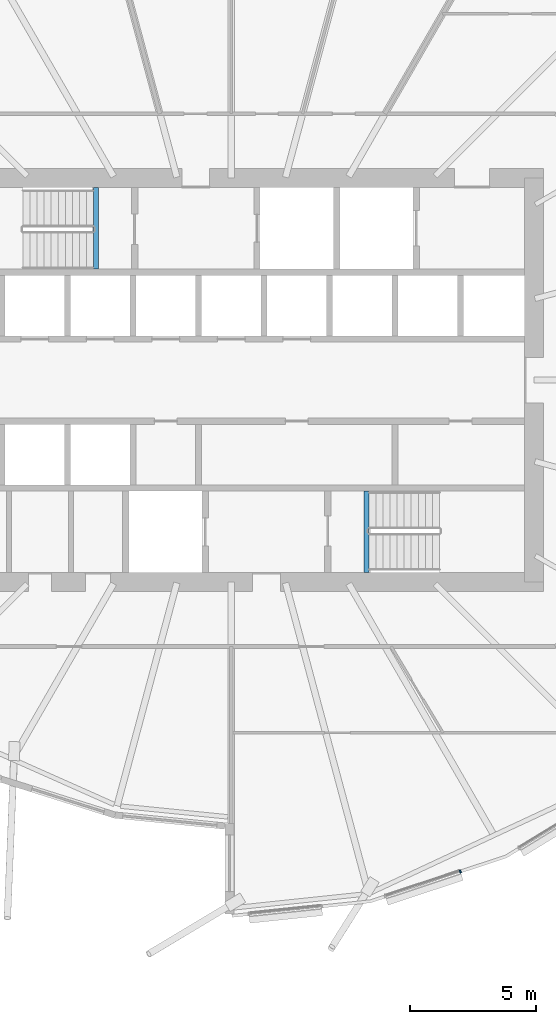
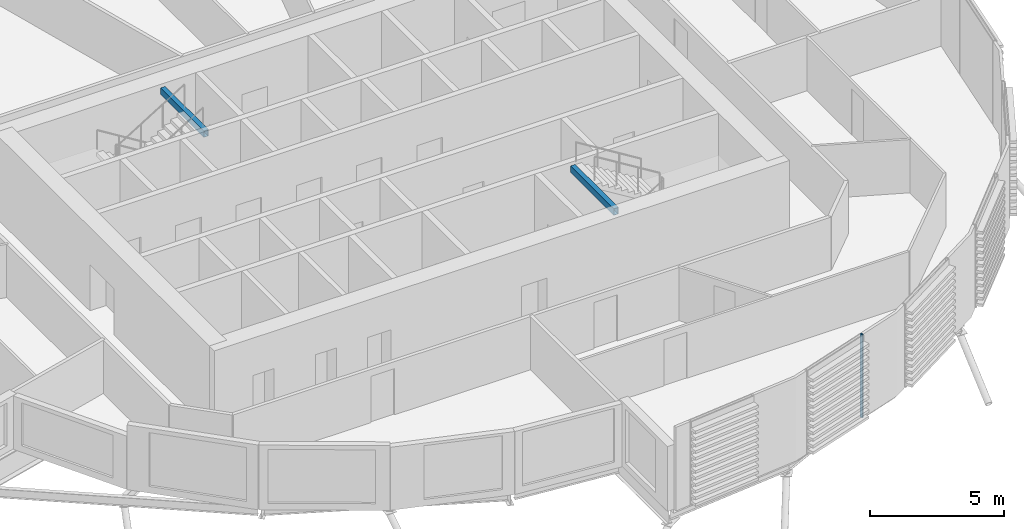
# One storey, part 6 of 40: 2 beams, 1 member, 1 element without a shape of its own.
"""IFC4 building model written with IfcOpenShell, lengths in metres."""

from ifc_helpers import new_model, si_unit, direction, frame, origin, origin_2d, place, context, subcontext, project, spatial, rectangle, hollow_rectangle, extrude, material, material_profile, profile_set, type_object, element, aggregate, save


model = new_model("IFC4")

# Units and contexts
model_context = context("Model", 3, precision=1e-05, world=origin(), true_north=direction((0.0, 1.0)))
body_context = subcontext(model_context, "Body", "Model", "MODEL_VIEW")
ifc_project = project(units=[si_unit("LENGTHUNIT", "METRE"), si_unit("AREAUNIT", "SQUARE_METRE"), si_unit("VOLUMEUNIT", "CUBIC_METRE"), si_unit("PLANEANGLEUNIT", "RADIAN"), si_unit("MASSUNIT", "GRAM", prefix="KILO")], contexts=[model_context])

# Site, building, storey
site_placement = place(None, origin())
site = spatial("IfcSite", under=ifc_project, at=site_placement, CompositionType="ELEMENT")
building_placement = place(site_placement, origin())
building = spatial("IfcBuilding", under=site, at=building_placement, Name="Rimbun Link Towers", CompositionType="ELEMENT")
storey_placement = place(building_placement, frame((0.0, 0.0, 89.199951171875)))
storey = spatial("IfcBuildingStorey", under=building, at=storey_placement, Name="L21", CompositionType="ELEMENT", Elevation=89.199951171875)

# Curtain wall, member
ifc_material_1 = material(Name="Aluminium 6063-T6 and low-iron glass", Category="aluminium")
curtain_wall_type = type_object("IfcCurtainWallType", Name="CW1-Z2 unitised vision wall (zone 2)", PredefinedType="NOTDEFINED", material=ifc_material_1)
curtain_wall_placement = place(storey_placement, origin())
curtain_wall = element("IfcCurtainWall", 1, at=curtain_wall_placement, inside=storey, type_object=curtain_wall_type, Name="CW1 L21 T1", PredefinedType="NOTDEFINED")
ifc_material_2 = material(Name="Aluminium 6063-T6", Category="aluminium")
ifc_material_profile_1 = material_profile(ifc_material_2, rectangle(XDim=0.1201171875, YDim=0.06005859375, at=origin_2d()), Name="MULLION 60X120")
ifc_profile_set_1 = profile_set([ifc_material_profile_1], Name="Aluminium 6063-T6")
member_type = type_object("IfcMemberType", Name="CW1 mullion 60X120", PredefinedType="MULLION", material=ifc_profile_set_1)
member_placement = place(storey_placement, frame((-22.6728515625, -19.468017578125, 0.0), z_axis=(0.0, 0.0, 1.0), x_axis=(0.314576015911, -0.949232284646, 0.0)))
member = element("IfcMember", 2, at=member_placement, type_object=member_type, Name="CW1 mullion", PredefinedType="MULLION", context=body_context, shape_type="SweptSolid", body=[
    extrude(rectangle(XDim=0.1201171875, YDim=0.06005859375, at=origin_2d()), origin(), (0.0, 0.0, 1.0), 3.800048828125),
])
aggregate(curtain_wall, [member])

# Beams
ifc_material_3 = material(Name="Steel S355J2", Category="steel")
ifc_material_profile_2 = material_profile(ifc_material_3, hollow_rectangle(XDim=0.199951171875, YDim=0.300048828125, WallThickness=0.011962890625, at=origin_2d()), Name="BOX 300x200x12")
ifc_profile_set_2 = profile_set([ifc_material_profile_2], Name="Steel S355J2")
beam_type = type_object("IfcBeamType", Name="Stair trimmer beam BOX 300x200x12", PredefinedType="BEAM", material=ifc_profile_set_2)
for number, where, z_axis, x_axis, name in (
    (3, (-37.10009765625, 7.625, 3.489990234375), (0.0, -1.0, 0.0), (1.0, 0.0, 0.0), "L21 ST1 stair beam 1"),
    (4, (-26.39990234375, -7.625, 3.489990234375), (0.0, 1.0, 0.0), (-1.0, 0.0, 0.0), "L21 ST2 stair beam 1"),
):
    element("IfcBeam", number, at=place(storey_placement, frame(where, z_axis=z_axis, x_axis=x_axis)), inside=storey, type_object=beam_type, Name=name, PredefinedType="BEAM", context=body_context, shape_type="SweptSolid", body=[
        extrude(hollow_rectangle(XDim=0.199951171875, YDim=0.300048828125, WallThickness=0.011962890625, at=origin_2d()), origin(), (0.0, 0.0, 1.0), 3.22509765625),
    ])

save(model, "model.ifc")
